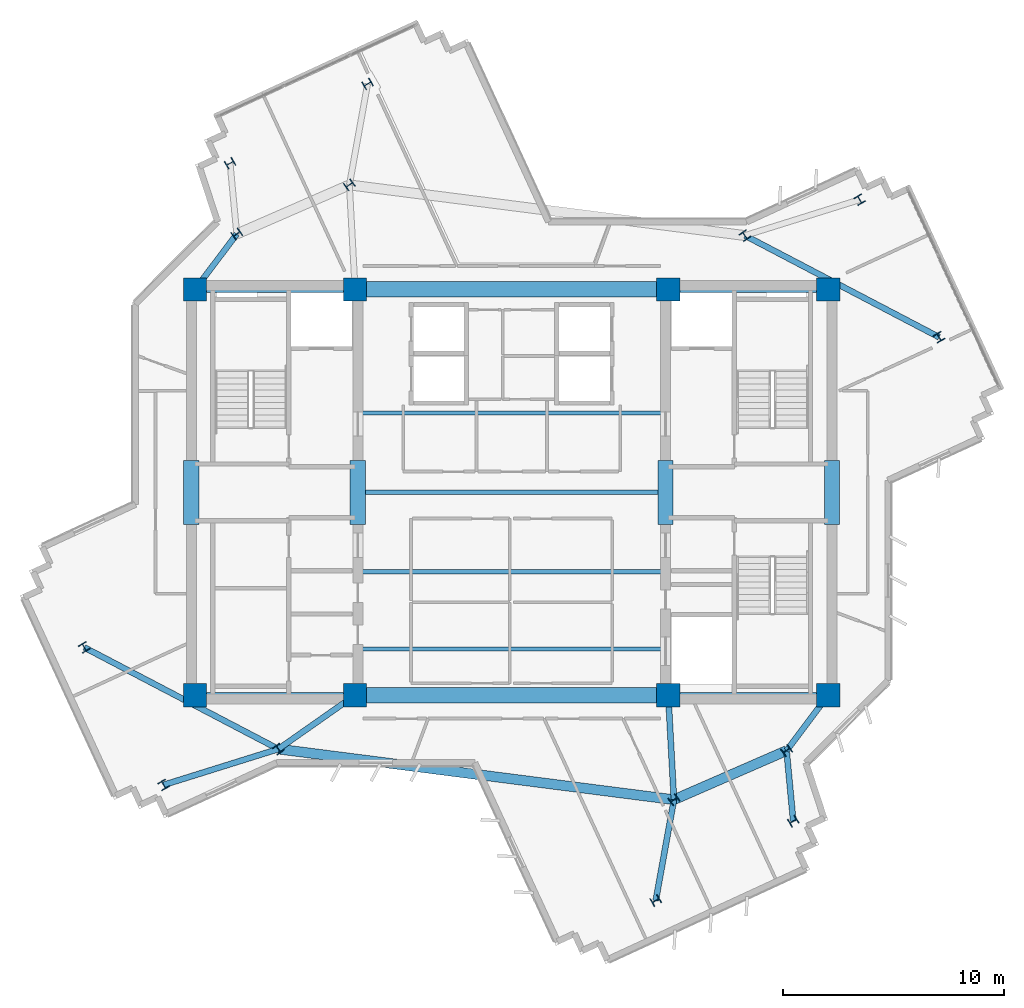
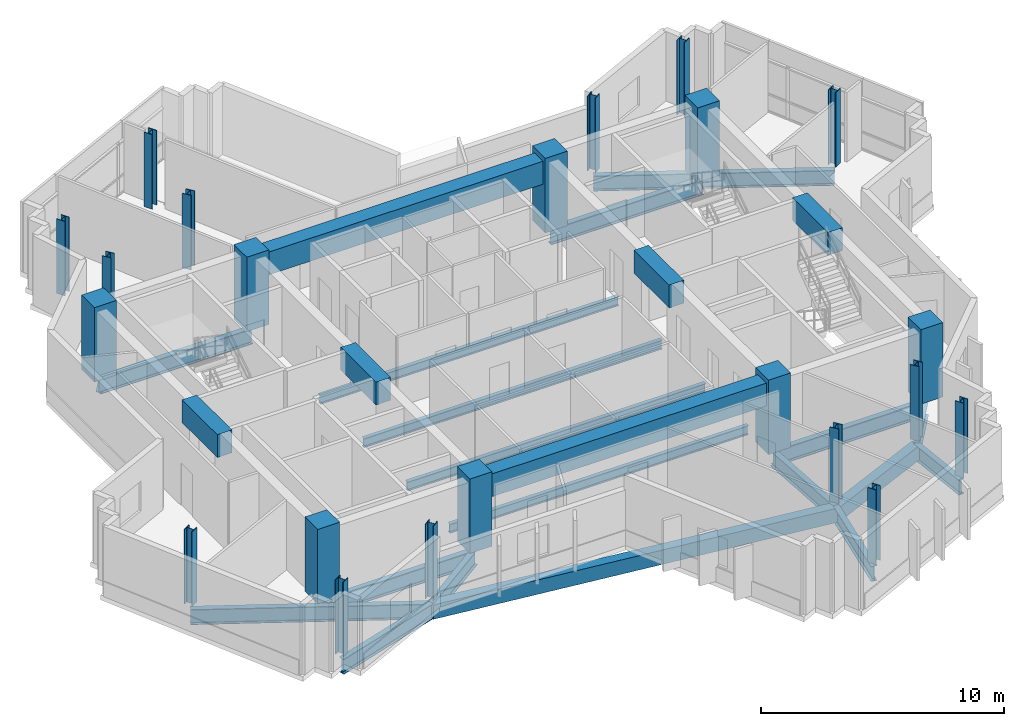
# One storey, part 1 of 12: 25 beams, 22 columns.
"""IFC4 building model written with IfcOpenShell, lengths in metres."""

from ifc_helpers import new_model, si_unit, direction, frame, origin, origin_2d, place, context, subcontext, project, spatial, rectangle, i_section, extrude, source, transform, mapped, material, material_profile, profile_set, type_object, element, save


model = new_model("IFC4")

# Units and contexts
model_context = context("Model", 3, precision=1e-05, world=origin(), true_north=direction((0.0, 1.0)))
body_context = subcontext(model_context, "Body", "Model", "MODEL_VIEW")
ifc_project = project(units=[si_unit("LENGTHUNIT", "METRE"), si_unit("AREAUNIT", "SQUARE_METRE"), si_unit("VOLUMEUNIT", "CUBIC_METRE"), si_unit("PLANEANGLEUNIT", "RADIAN"), si_unit("MASSUNIT", "GRAM", prefix="KILO")], contexts=[model_context])

# Site, building, storey
site_placement = place(None, origin())
site = spatial("IfcSite", under=ifc_project, at=site_placement, CompositionType="ELEMENT")
building_placement = place(site_placement, origin())
building = spatial("IfcBuilding", under=site, at=building_placement, Name="Zahravan Cultural Tower", CompositionType="ELEMENT")
storey_placement = place(building_placement, frame((0.0, 0.0, 246.60009765625)))
storey = spatial("IfcBuildingStorey", under=building, at=storey_placement, Name="L58", CompositionType="ELEMENT", Elevation=246.60009765625)

# Columns
ifc_material_1 = material(Name="Concrete C50/60", Category="concrete")
ifc_material_profile_1 = material_profile(ifc_material_1, rectangle(XDim=1.050048828125, YDim=1.050048828125, at=origin_2d()), Name="RC1050X1050")
ifc_profile_set_1 = profile_set([ifc_material_profile_1], Name="Concrete C50/60")
column_type_1 = type_object("IfcColumnType", Name="COL-RC1050", PredefinedType="COLUMN", material=ifc_profile_set_1)
shared_shape_1 = source(origin(), body_context, "Body", "SweptSolid", [
    extrude(rectangle(XDim=1.050048828125, YDim=1.050048828125, at=origin_2d()), origin(), (0.0, 0.0, 1.0), 3.75),
])
for number, where, z_axis, x_axis, name in (
    (1, (21.64990234375, 17.800048828125, 0.0), (0.0, 0.0, 1.0), (1.0, 0.0, 0.0), "L58 Column CC-W1"),
    (2, (28.89990234375, 17.800048828125, 0.0), (0.0, 0.0, 1.0), (1.0, 0.0, 0.0), "L58 Column CC-W2"),
    (3, (21.64990234375, 36.199951171875, 0.0), (0.0, 0.0, 1.0), (1.0, 0.0, 0.0), "L58 Column CC-W3"),
    (4, (28.89990234375, 36.199951171875, 0.0), (0.0, 0.0, 1.0), (1.0, 0.0, 0.0), "L58 Column CC-W4"),
    (5, (43.10009765625, 17.800048828125, 0.0), (0.0, 0.0, 1.0), (1.0, 0.0, 0.0), "L58 Column CC-E1"),
    (6, (50.35009765625, 17.800048828125, 0.0), (0.0, 0.0, 1.0), (1.0, 0.0, 0.0), "L58 Column CC-E2"),
    (7, (43.10009765625, 36.199951171875, 0.0), (0.0, 0.0, 1.0), (1.0, 0.0, 0.0), "L58 Column CC-E3"),
    (8, (50.35009765625, 36.199951171875, 0.0), (0.0, 0.0, 1.0), (1.0, 0.0, 0.0), "L58 Column CC-E4"),
):
    element("IfcColumn", number, at=place(storey_placement, frame(where, z_axis=z_axis, x_axis=x_axis)), inside=storey, type_object=column_type_1, Name=name, PredefinedType="COLUMN", context=body_context, shape_type="MappedRepresentation", body=[
        mapped(shared_shape_1, transform((0.0, 0.0, 0.0), x_axis=(1.0, 0.0, 0.0), y_axis=(0.0, 1.0, 0.0), z_axis=(0.0, 0.0, 1.0), scale=1.0)),
    ])
ifc_material_2 = material(Name="Steel ASTM A992 Grade 50", Category="steel")
ifc_material_profile_2 = material_profile(ifc_material_2, i_section(OverallWidth=0.39892578125, OverallDepth=0.385986328125, WebThickness=0.02099609375, FlangeThickness=0.033203125, FilletRadius=0.01806640625, at=origin_2d()), Name="W14X176")
ifc_profile_set_2 = profile_set([ifc_material_profile_2], Name="Steel ASTM A992 Grade 50")
column_type_2 = type_object("IfcColumnType", Name="COL-W14X176", PredefinedType="COLUMN", material=ifc_profile_set_2)
shared_shape_2 = source(origin(), body_context, "Body", "SweptSolid", [
    extrude(i_section(OverallWidth=0.39892578125, OverallDepth=0.385986328125, WebThickness=0.02099609375, FlangeThickness=0.033203125, FilletRadius=0.01806640625, at=origin_2d()), origin(), (0.0, 0.0, 1.0), 3.75),
])
for number, where, z_axis, x_axis, name in (
    (9, (46.577880859375, 38.640625, 0.0), (0.0, 0.0, 1.0), (0.809016994375, 0.587785252292, 0.0), "L58 Column Z3C-E2"),
    (10, (28.642578125, 40.937255859375, 0.0), (0.0, 0.0, 1.0), (-0.587785252292, 0.809016994375, 0.0), "L58 Column Z3C-N1"),
    (11, (23.536376953125, 38.710693359375, 0.0), (0.0, 0.0, 1.0), (-0.587785252292, 0.809016994375, 0.0), "L58 Column Z3C-N2"),
    (12, (25.422119140625, 15.359375, 0.0), (0.0, 0.0, 1.0), (0.809016994375, 0.587785252292, 0.0), "L58 Column Z3C-W2"),
    (13, (43.357421875, 13.062744140625, 0.0), (0.0, 0.0, 1.0), (-0.587785252292, 0.809016994375, 0.0), "L58 Column Z3C-S1"),
    (14, (48.463623046875, 15.289306640625, 0.0), (0.0, 0.0, 1.0), (-0.587785252292, 0.809016994375, 0.0), "L58 Column Z3C-S2"),
    (15, (55.38037109375, 34.0322265625, 0.0), (0.0, 0.0, 1.0), (0.866025403784, 0.5, 0.0), "L58 Column Z3T-E1"),
    (16, (51.7802734375, 40.267578125, 0.0), (0.0, 0.0, 1.0), (0.866025403784, 0.5, 0.0), "L58 Column Z3T-E2"),
    (17, (29.4677734375, 45.514404296875, 0.0), (0.0, 0.0, 1.0), (-0.5, 0.866025403784, 0.0), "L58 Column Z3T-N1"),
    (18, (23.232421875, 41.914306640625, 0.0), (0.0, 0.0, 1.0), (-0.5, 0.866025403784, 0.0), "L58 Column Z3T-N2"),
    (19, (16.61962890625, 19.9677734375, 0.0), (0.0, 0.0, 1.0), (0.866025403784, 0.5, 0.0), "L58 Column Z3T-W1"),
    (20, (20.2197265625, 13.732421875, 0.0), (0.0, 0.0, 1.0), (0.866025403784, 0.5, 0.0), "L58 Column Z3T-W2"),
    (21, (42.5322265625, 8.485595703125, 0.0), (0.0, 0.0, 1.0), (-0.5, 0.866025403784, 0.0), "L58 Column Z3T-S1"),
    (22, (48.767578125, 12.085693359375, 0.0), (0.0, 0.0, 1.0), (-0.5, 0.866025403784, 0.0), "L58 Column Z3T-S2"),
):
    element("IfcColumn", number, at=place(storey_placement, frame(where, z_axis=z_axis, x_axis=x_axis)), inside=storey, type_object=column_type_2, Name=name, PredefinedType="COLUMN", context=body_context, shape_type="MappedRepresentation", body=[
        mapped(shared_shape_2, transform((0.0, 0.0, 0.0), x_axis=(1.0, 0.0, 0.0), y_axis=(0.0, 1.0, 0.0), z_axis=(0.0, 0.0, 1.0), scale=1.0)),
    ])

# Beams
ifc_material_profile_3 = material_profile(ifc_material_1, rectangle(XDim=0.699951171875, YDim=1.14990234375, at=origin_2d()), Name="RC700X1150")
ifc_profile_set_3 = profile_set([ifc_material_profile_3], Name="Concrete C50/60")
beam_type_1 = type_object("IfcBeamType", Name="BM-LN-RC700X1150", PredefinedType="LINTEL", material=ifc_profile_set_3)
shared_shape_3 = source(origin(), body_context, "Body", "SweptSolid", [
    extrude(rectangle(XDim=0.699951171875, YDim=1.14990234375, at=origin_2d()), origin(), (0.0, 0.0, 1.0), 14.2001953125),
])
for number, where, z_axis, x_axis, name in (
    (23, (28.89990234375, 17.800048828125, 2.9248046875), (1.0, 0.0, 0.0), (0.0, 1.0, 0.0), "L58 Beam LN-L58-S"),
    (24, (28.89990234375, 36.199951171875, 2.9248046875), (1.0, 0.0, 0.0), (0.0, 1.0, 0.0), "L58 Beam LN-L58-N"),
):
    element("IfcBeam", number, at=place(storey_placement, frame(where, z_axis=z_axis, x_axis=x_axis)), inside=storey, type_object=beam_type_1, Name=name, PredefinedType="LINTEL", context=body_context, shape_type="MappedRepresentation", body=[
        mapped(shared_shape_3, transform((0.0, 0.0, 0.0), x_axis=(1.0, 0.0, 0.0), y_axis=(0.0, 1.0, 0.0), z_axis=(0.0, 0.0, 1.0), scale=1.0)),
    ])
shared_shape_4 = source(origin(), body_context, "Body", "SweptSolid", [
    extrude(rectangle(XDim=0.699951171875, YDim=1.14990234375, at=origin_2d()), origin(), (0.0, 0.0, 1.0), 2.89990234375),
])
for number, where, z_axis, x_axis, name in (
    (25, (21.47509765625, 25.550048828125, 2.9248046875), (0.0, 1.0, 0.0), (-1.0, 0.0, 0.0), "L58 Beam LN-L58-PWW"),
    (26, (29.02490234375, 25.550048828125, 2.9248046875), (0.0, 1.0, 0.0), (-1.0, 0.0, 0.0), "L58 Beam LN-L58-PWE"),
    (27, (42.97509765625, 25.550048828125, 2.9248046875), (0.0, 1.0, 0.0), (-1.0, 0.0, 0.0), "L58 Beam LN-L58-PEW"),
    (28, (50.52490234375, 25.550048828125, 2.9248046875), (0.0, 1.0, 0.0), (-1.0, 0.0, 0.0), "L58 Beam LN-L58-PEE"),
):
    element("IfcBeam", number, at=place(storey_placement, frame(where, z_axis=z_axis, x_axis=x_axis)), inside=storey, type_object=beam_type_1, Name=name, PredefinedType="LINTEL", context=body_context, shape_type="MappedRepresentation", body=[
        mapped(shared_shape_4, transform((0.0, 0.0, 0.0), x_axis=(1.0, 0.0, 0.0), y_axis=(0.0, 1.0, 0.0), z_axis=(0.0, 0.0, 1.0), scale=1.0)),
    ])
ifc_material_profile_4 = material_profile(ifc_material_2, i_section(OverallWidth=0.26611328125, OverallDepth=0.780029296875, WebThickness=0.0166015625, FlangeThickness=0.030029296875, FilletRadius=0.01904296875, at=origin_2d()), Name="W30X148")
ifc_profile_set_4 = profile_set([ifc_material_profile_4], Name="Steel ASTM A992 Grade 50")
beam_type_2 = type_object("IfcBeamType", Name="BM-G-W30X148", PredefinedType="BEAM", material=ifc_profile_set_4)
shared_shape_5 = source(origin(), body_context, "Body", "SweptSolid", [
    extrude(i_section(OverallWidth=0.26611328125, OverallDepth=0.780029296875, WebThickness=0.0166015625, FlangeThickness=0.030029296875, FilletRadius=0.01904296875, at=origin_2d()), origin(), (0.0, 0.0, 1.0), 7.25),
])
for number, where, z_axis, x_axis, name in (
    (29, (21.64990234375, 17.800048828125, -0.64013671875), (1.0, 0.0, 0.0), (0.0, 1.0, 0.0), "L58 Beam BG-L58-01"),
    (30, (21.64990234375, 36.199951171875, -0.64013671875), (1.0, 0.0, 0.0), (0.0, 1.0, 0.0), "L58 Beam BG-L58-02"),
    (31, (43.10009765625, 17.800048828125, -0.64013671875), (1.0, 0.0, 0.0), (0.0, 1.0, 0.0), "L58 Beam BG-L58-04"),
    (32, (43.10009765625, 36.199951171875, -0.64013671875), (1.0, 0.0, 0.0), (0.0, 1.0, 0.0), "L58 Beam BG-L58-05"),
):
    element("IfcBeam", number, at=place(storey_placement, frame(where, z_axis=z_axis, x_axis=x_axis)), inside=storey, type_object=beam_type_2, Name=name, PredefinedType="BEAM", context=body_context, shape_type="MappedRepresentation", body=[
        mapped(shared_shape_5, transform((0.0, 0.0, 0.0), x_axis=(1.0, 0.0, 0.0), y_axis=(0.0, 1.0, 0.0), z_axis=(0.0, 0.0, 1.0), scale=1.0)),
    ])
ifc_material_profile_5 = material_profile(ifc_material_2, i_section(OverallWidth=0.26708984375, OverallDepth=0.761962890625, WebThickness=0.014404296875, FlangeThickness=0.021484375, FilletRadius=0.01904296875, at=origin_2d()), Name="W30X116")
ifc_profile_set_5 = profile_set([ifc_material_profile_5], Name="Steel ASTM A992 Grade 50")
beam_type_3 = type_object("IfcBeamType", Name="BM-G-W30X116", PredefinedType="BEAM", material=ifc_profile_set_5)
shared_shape_6 = source(origin(), body_context, "Body", "SweptSolid", [
    extrude(i_section(OverallWidth=0.26708984375, OverallDepth=0.761962890625, WebThickness=0.014404296875, FlangeThickness=0.021484375, FilletRadius=0.01904296875, at=origin_2d()), origin(), (0.0, 0.0, 1.0), 4.248779296875),
])
beam_1_placement = place(storey_placement, frame((28.89990234375, 17.800048828125, -0.631103515625), z_axis=(-0.81854294596, -0.574445337365, 0.0), x_axis=(0.574445337365, -0.81854294596, 0.0)))
element("IfcBeam", 33, at=beam_1_placement, inside=storey, type_object=beam_type_3, Name="L58 Beam BG-L58-07", PredefinedType="BEAM", context=body_context, shape_type="MappedRepresentation", body=[
    mapped(shared_shape_6, transform((0.0, 0.0, 0.0), x_axis=(1.0, 0.0, 0.0), y_axis=(0.0, 1.0, 0.0), z_axis=(0.0, 0.0, 1.0), scale=1.0)),
])
shared_shape_7 = source(origin(), body_context, "Body", "SweptSolid", [
    extrude(i_section(OverallWidth=0.26708984375, OverallDepth=0.761962890625, WebThickness=0.014404296875, FlangeThickness=0.021484375, FilletRadius=0.01904296875, at=origin_2d()), origin(), (0.0, 0.0, 1.0), 4.744384765625),
])
beam_2_placement = place(storey_placement, frame((43.10009765625, 17.800048828125, -0.631103515625), z_axis=(0.054238739845, -0.998527996152, 0.0), x_axis=(0.998527996152, 0.054238739845, 0.0)))
element("IfcBeam", 34, at=beam_2_placement, inside=storey, type_object=beam_type_3, Name="L58 Beam BG-L58-08", PredefinedType="BEAM", context=body_context, shape_type="MappedRepresentation", body=[
    mapped(shared_shape_7, transform((0.0, 0.0, 0.0), x_axis=(1.0, 0.0, 0.0), y_axis=(0.0, 1.0, 0.0), z_axis=(0.0, 0.0, 1.0), scale=1.0)),
])
shared_shape_8 = source(origin(), body_context, "Body", "SweptSolid", [
    extrude(i_section(OverallWidth=0.26708984375, OverallDepth=0.761962890625, WebThickness=0.014404296875, FlangeThickness=0.021484375, FilletRadius=0.01904296875, at=origin_2d()), origin(), (0.0, 0.0, 1.0), 3.140380859375),
])
for number, where, z_axis, x_axis, name in (
    (35, (50.35009765625, 17.800048828125, -0.631103515625), (-0.600696322208, -0.799477284534, 0.0), (0.799477284534, -0.600696322208, 0.0), "L58 Beam BG-L58-09"),
    (36, (21.64990234375, 36.199951171875, -0.631103515625), (0.600696322208, 0.799477284534, 0.0), (-0.799477284534, 0.600696322208, 0.0), "L58 Beam BG-L58-11"),
):
    element("IfcBeam", number, at=place(storey_placement, frame(where, z_axis=z_axis, x_axis=x_axis)), inside=storey, type_object=beam_type_3, Name=name, PredefinedType="BEAM", context=body_context, shape_type="MappedRepresentation", body=[
        mapped(shared_shape_8, transform((0.0, 0.0, 0.0), x_axis=(1.0, 0.0, 0.0), y_axis=(0.0, 1.0, 0.0), z_axis=(0.0, 0.0, 1.0), scale=1.0)),
    ])
shared_shape_9 = source(origin(), body_context, "Body", "SweptSolid", [
    extrude(i_section(OverallWidth=0.26708984375, OverallDepth=0.761962890625, WebThickness=0.014404296875, FlangeThickness=0.021484375, FilletRadius=0.01904296875, at=origin_2d()), origin(), (0.0, 0.0, 1.0), 9.935791015625),
])
for number, where, z_axis, x_axis, name in (
    (37, (46.577880859375, 38.640625, -0.631103515625), (0.885932031042, -0.463815088558, 0.0), (0.463815088558, 0.885932031042, 0.0), "L58 Beam BG-L58-12"),
    (38, (25.422119140625, 15.359375, -0.631103515625), (-0.885932031042, 0.463815088558, 0.0), (-0.463815088558, -0.885932031042, 0.0), "L58 Beam BG-L58-16"),
):
    element("IfcBeam", number, at=place(storey_placement, frame(where, z_axis=z_axis, x_axis=x_axis)), inside=storey, type_object=beam_type_3, Name=name, PredefinedType="BEAM", context=body_context, shape_type="MappedRepresentation", body=[
        mapped(shared_shape_9, transform((0.0, 0.0, 0.0), x_axis=(1.0, 0.0, 0.0), y_axis=(0.0, 1.0, 0.0), z_axis=(0.0, 0.0, 1.0), scale=1.0)),
    ])
shared_shape_10 = source(origin(), body_context, "Body", "SweptSolid", [
    extrude(i_section(OverallWidth=0.26708984375, OverallDepth=0.761962890625, WebThickness=0.014404296875, FlangeThickness=0.021484375, FilletRadius=0.01904296875, at=origin_2d()), origin(), (0.0, 0.0, 1.0), 5.450927734375),
])
beam_3_placement = place(storey_placement, frame((25.422119140625, 15.359375, -0.631103515625), z_axis=(-0.954416996605, -0.298476459025, 0.0), x_axis=(0.298476459025, -0.954416996605, 0.0)))
element("IfcBeam", 39, at=beam_3_placement, inside=storey, type_object=beam_type_3, Name="L58 Beam BG-L58-17", PredefinedType="BEAM", context=body_context, shape_type="MappedRepresentation", body=[
    mapped(shared_shape_10, transform((0.0, 0.0, 0.0), x_axis=(1.0, 0.0, 0.0), y_axis=(0.0, 1.0, 0.0), z_axis=(0.0, 0.0, 1.0), scale=1.0)),
])
shared_shape_11 = source(origin(), body_context, "Body", "SweptSolid", [
    extrude(i_section(OverallWidth=0.26708984375, OverallDepth=0.761962890625, WebThickness=0.014404296875, FlangeThickness=0.021484375, FilletRadius=0.01904296875, at=origin_2d()), origin(), (0.0, 0.0, 1.0), 4.65087890625),
])
beam_4_placement = place(storey_placement, frame((43.357421875, 13.062744140625, -0.631103515625), z_axis=(-0.177425522697, -0.984134230629, 0.0), x_axis=(0.984134230629, -0.177425522697, 0.0)))
element("IfcBeam", 40, at=beam_4_placement, inside=storey, type_object=beam_type_3, Name="L58 Beam BG-L58-18", PredefinedType="BEAM", context=body_context, shape_type="MappedRepresentation", body=[
    mapped(shared_shape_11, transform((0.0, 0.0, 0.0), x_axis=(1.0, 0.0, 0.0), y_axis=(0.0, 1.0, 0.0), z_axis=(0.0, 0.0, 1.0), scale=1.0)),
])
shared_shape_12 = source(origin(), body_context, "Body", "SweptSolid", [
    extrude(i_section(OverallWidth=0.26708984375, OverallDepth=0.761962890625, WebThickness=0.014404296875, FlangeThickness=0.021484375, FilletRadius=0.01904296875, at=origin_2d()), origin(), (0.0, 0.0, 1.0), 3.218017578125),
])
beam_5_placement = place(storey_placement, frame((48.463623046875, 15.289306640625, -0.631103515625), z_axis=(0.094454641962, -0.995529166128, 0.0), x_axis=(0.995529166128, 0.094454641962, 0.0)))
element("IfcBeam", 41, at=beam_5_placement, inside=storey, type_object=beam_type_3, Name="L58 Beam BG-L58-19", PredefinedType="BEAM", context=body_context, shape_type="MappedRepresentation", body=[
    mapped(shared_shape_12, transform((0.0, 0.0, 0.0), x_axis=(1.0, 0.0, 0.0), y_axis=(0.0, 1.0, 0.0), z_axis=(0.0, 0.0, 1.0), scale=1.0)),
])
ifc_material_3 = material(Name="Concrete C45/55", Category="concrete")
ifc_material_profile_6 = material_profile(ifc_material_3, rectangle(XDim=0.449951171875, YDim=0.719970703125, at=origin_2d()), Name="RC450X720")
ifc_profile_set_6 = profile_set([ifc_material_profile_6], Name="Concrete C45/55")
beam_type_4 = type_object("IfcBeamType", Name="BM-SP-RC450X720", PredefinedType="SPANDREL", material=ifc_profile_set_6)
shared_shape_13 = source(origin(), body_context, "Body", "SweptSolid", [
    extrude(rectangle(XDim=0.449951171875, YDim=0.719970703125, at=origin_2d()), origin(), (0.0, 0.0, 1.0), 18.081787109375),
])
beam_6_placement = place(storey_placement, frame((25.422119140625, 15.359375, -0.610107421875), z_axis=(0.991900954377, -0.127013765812, 0.0), x_axis=(0.127013765812, 0.991900954377, 0.0)))
element("IfcBeam", 42, at=beam_6_placement, inside=storey, type_object=beam_type_4, Name="L58 Beam SP-L58-20", PredefinedType="SPANDREL", context=body_context, shape_type="MappedRepresentation", body=[
    mapped(shared_shape_13, transform((0.0, 0.0, 0.0), x_axis=(1.0, 0.0, 0.0), y_axis=(0.0, 1.0, 0.0), z_axis=(0.0, 0.0, 1.0), scale=1.0)),
])
shared_shape_14 = source(origin(), body_context, "Body", "SweptSolid", [
    extrude(rectangle(XDim=0.449951171875, YDim=0.719970703125, at=origin_2d()), origin(), (0.0, 0.0, 1.0), 5.570556640625),
])
beam_7_placement = place(storey_placement, frame((43.357421875, 13.062744140625, -0.610107421875), z_axis=(0.9166445026, 0.399703459896, 0.0), x_axis=(-0.399703459896, 0.9166445026, 0.0)))
element("IfcBeam", 43, at=beam_7_placement, inside=storey, type_object=beam_type_4, Name="L58 Beam SP-L58-21", PredefinedType="SPANDREL", context=body_context, shape_type="MappedRepresentation", body=[
    mapped(shared_shape_14, transform((0.0, 0.0, 0.0), x_axis=(1.0, 0.0, 0.0), y_axis=(0.0, 1.0, 0.0), z_axis=(0.0, 0.0, 1.0), scale=1.0)),
])
ifc_material_profile_7 = material_profile(ifc_material_2, i_section(OverallWidth=0.18994140625, OverallDepth=0.45703125, WebThickness=0.009033203125, FlangeThickness=0.014404296875, FilletRadius=0.012939453125, at=origin_2d()), Name="W18X50")
ifc_profile_set_7 = profile_set([ifc_material_profile_7], Name="Steel ASTM A992 Grade 50")
beam_type_5 = type_object("IfcBeamType", Name="BM-J-W18X50", PredefinedType="JOIST", material=ifc_profile_set_7)
shared_shape_15 = source(origin(), body_context, "Body", "SweptSolid", [
    extrude(i_section(OverallWidth=0.18994140625, OverallDepth=0.45703125, WebThickness=0.009033203125, FlangeThickness=0.014404296875, FilletRadius=0.012939453125, at=origin_2d()), origin(), (0.0, 0.0, 1.0), 14.2001953125),
])
for number, where, z_axis, x_axis, name in (
    (44, (28.89990234375, 19.89990234375, -0.478515625), (1.0, 0.0, 0.0), (0.0, 1.0, 0.0), "L58 Beam BJ-L58-24"),
    (45, (28.89990234375, 23.39990234375, -0.478515625), (1.0, 0.0, 0.0), (0.0, 1.0, 0.0), "L58 Beam BJ-L58-25"),
    (46, (28.89990234375, 27.0, -0.478515625), (1.0, 0.0, 0.0), (0.0, 1.0, 0.0), "L58 Beam BJ-L58-26"),
    (47, (28.89990234375, 30.60009765625, -0.478515625), (1.0, 0.0, 0.0), (0.0, 1.0, 0.0), "L58 Beam BJ-L58-27"),
):
    element("IfcBeam", number, at=place(storey_placement, frame(where, z_axis=z_axis, x_axis=x_axis)), inside=storey, type_object=beam_type_5, Name=name, PredefinedType="JOIST", context=body_context, shape_type="MappedRepresentation", body=[
        mapped(shared_shape_15, transform((0.0, 0.0, 0.0), x_axis=(1.0, 0.0, 0.0), y_axis=(0.0, 1.0, 0.0), z_axis=(0.0, 0.0, 1.0), scale=1.0)),
    ])

save(model, "model.ifc")
